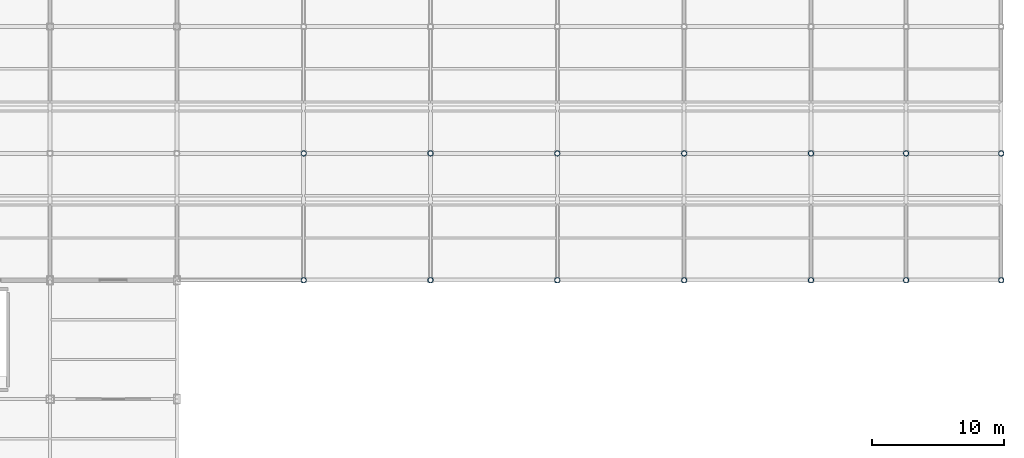
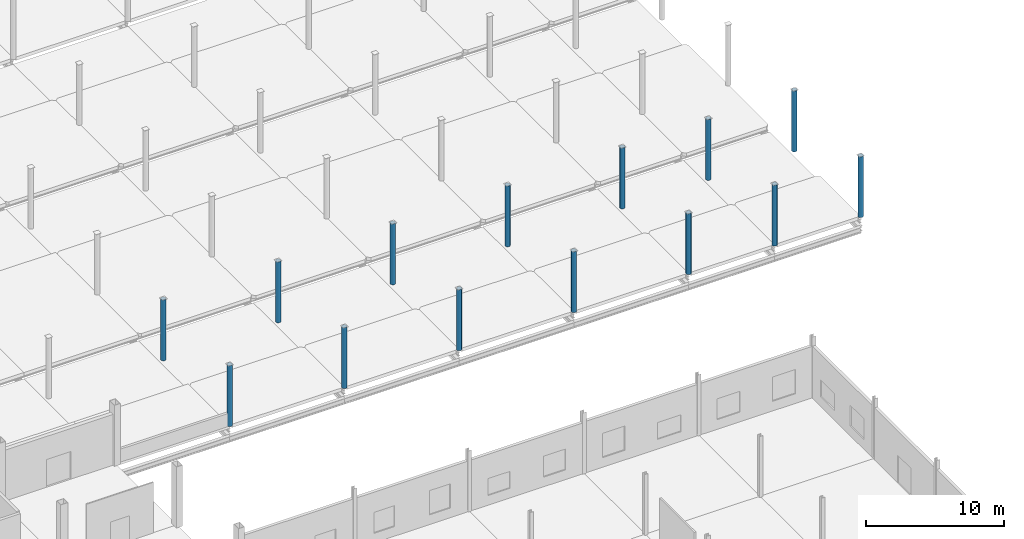
# One storey, part 19 of 85: 14 columns.
"""IFC4 building model written with IfcOpenShell, lengths in metres."""

import ifcopenshell
import ifcopenshell.guid

model = None  # the IFC model being written
_history = None  # IfcOwnerHistory: only IFC2X3 demands one
_inside = {}  # id of a spatial element -> (the spatial element, [elements in it])
_under = {}  # id of a project, library or spatial element -> (it, [spatial elements below it])
_declared = {}  # id of a project -> (the project, [libraries it declares])
_typed = {}  # id of a type object -> (the type object, [elements of that type])
_made_of = {}  # id of a material, layer set ... -> (it, [elements and type objects made of it])


def new_model(schema):
    """Start an empty IFC model of exactly this schema.

    Asked for "IFC4X3", IfcOpenShell would pick the latest addendum, in which some entities
    have other attributes; the version numbers below select the first issue.
    IFC2X3 requires an IfcOwnerHistory on every rooted entity: one is made here for all.
    """
    global model, _history
    if schema == "IFC4X3":
        model = ifcopenshell.file(schema_version=(4, 3, 0, 0))
    else:
        model = ifcopenshell.file(schema=schema)
    _inside.clear()
    _under.clear()
    _declared.clear()
    _typed.clear()
    _made_of.clear()
    _history = None
    if model.schema == "IFC2X3":
        org = make("IfcOrganization", Name="unknown")
        user = make(
            "IfcPersonAndOrganization",
            ThePerson=make("IfcPerson", FamilyName="unknown"),
            TheOrganization=org,
        )
        app = make(
            "IfcApplication",
            ApplicationDeveloper=org,
            Version="unknown",
            ApplicationFullName="unknown",
            ApplicationIdentifier="unknown",
        )
        _history = make(
            "IfcOwnerHistory",
            OwningUser=user,
            OwningApplication=app,
            ChangeAction="ADDED",
            CreationDate=0,
        )
    return model


def make(cls, **values):
    """One entity of the class cls with the attributes given. An attribute that is None is left unset."""
    return model.create_entity(
        cls, **{name: value for name, value in values.items() if value is not None}
    )


def rooted(cls, **values):
    """An entity with a GlobalId (a new one), such as an element, a storey or a relation."""
    return make(cls, GlobalId=ifcopenshell.guid.new(), OwnerHistory=_history, **values)


def si_unit(unit_type, name, prefix=None):
    """IfcSIUnit, for example si_unit("LENGTHUNIT", "METRE", prefix="MILLI")."""
    return make("IfcSIUnit", UnitType=unit_type, Prefix=prefix, Name=name)


def assignment(units):
    """IfcUnitAssignment: the units of a project."""
    return None if units is None else make("IfcUnitAssignment", Units=units)


def point(xyz):
    """IfcCartesianPoint."""
    return None if xyz is None else make("IfcCartesianPoint", Coordinates=xyz)


def direction(xyz):
    """IfcDirection."""
    return None if xyz is None else make("IfcDirection", DirectionRatios=xyz)


def frame(location, z_axis=None, x_axis=None):
    """IfcAxis2Placement3D, a coordinate frame: its origin and axes. An axis left out is left unset."""
    return make(
        "IfcAxis2Placement3D",
        Location=point(location),
        Axis=direction(z_axis),
        RefDirection=direction(x_axis),
    )


def frame_2d(location, x_axis=None):
    """IfcAxis2Placement2D, a coordinate frame in the plane: its origin and x axis."""
    return make(
        "IfcAxis2Placement2D", Location=point(location), RefDirection=direction(x_axis)
    )


def origin():
    """The frame at (0, 0, 0) with its axes left unset."""
    return frame((0.0, 0.0, 0.0))


def origin_2d():
    """The frame at (0, 0) in the plane with its x axis left unset."""
    return frame_2d((0.0, 0.0))


def place(relative_to, where):
    """IfcLocalPlacement: puts the frame where relative to a parent placement (None: the world)."""
    return make(
        "IfcLocalPlacement", PlacementRelTo=relative_to, RelativePlacement=where
    )


def context(
    kind, dimensions, precision=None, world=None, true_north=None, identifier=None
):
    """IfcGeometricRepresentationContext, for example the 3D "Model" context."""
    return make(
        "IfcGeometricRepresentationContext",
        ContextIdentifier=identifier,
        ContextType=kind,
        CoordinateSpaceDimension=dimensions,
        Precision=precision,
        WorldCoordinateSystem=world,
        TrueNorth=true_north,
    )


def subcontext(parent, identifier, kind, view, scale=None):
    """IfcGeometricRepresentationSubContext, for example "Body" below "Model"."""
    return make(
        "IfcGeometricRepresentationSubContext",
        ContextIdentifier=identifier,
        ContextType=kind,
        ParentContext=parent,
        TargetScale=scale,
        TargetView=view,
    )


def project(units=None, contexts=None):
    """IfcProject with its units and contexts."""
    return rooted(
        "IfcProject",
        Name="project",
        RepresentationContexts=contexts,
        UnitsInContext=assignment(units),
    )


def spatial(cls, under=None, at=None, **own):
    """A site, building, storey or space (cls), placed at a placement, below another one or the project."""
    s = rooted(cls, ObjectPlacement=at, **own)
    if under is not None:
        _under.setdefault(under.id(), (under, []))[1].append(s)
    return s


def profile(cls, at=None, kind="AREA", **sizes):
    """A parametric profile (cls). Its sizes go by their IFC names, for example OverallWidth=200.0."""
    return make(cls, ProfileType=kind, Position=at, **sizes)


def hollow_circle(**sizes):
    """IfcCircleHollowProfileDef."""
    return profile("IfcCircleHollowProfileDef", **sizes)


def extrude(swept, where, along, depth):
    """IfcExtrudedAreaSolid: the profile swept, set in the frame where, extruded along a direction by depth."""
    return make(
        "IfcExtrudedAreaSolid",
        SweptArea=swept,
        Position=where,
        ExtrudedDirection=direction(along),
        Depth=depth,
    )


def shape(context_of_items, identifier, shape_type, items):
    """IfcShapeRepresentation: the items that make up one representation, for example the "Body"."""
    return make(
        "IfcShapeRepresentation",
        ContextOfItems=context_of_items,
        RepresentationIdentifier=identifier,
        RepresentationType=shape_type,
        Items=items,
    )


def material(Name=None, Category=None):
    """IfcMaterial."""
    return make("IfcMaterial", Name=Name, Category=Category)


def material_profile(
    of_material, cross_section, Name=None, Category=None, Priority=None
):
    """IfcMaterialProfile: a cross section and its material."""
    return make(
        "IfcMaterialProfile",
        Name=Name,
        Material=of_material,
        Profile=cross_section,
        Priority=Priority,
        Category=Category,
    )


def profile_set(profiles, Name=None, composite=None):
    """IfcMaterialProfileSet."""
    return make(
        "IfcMaterialProfileSet",
        Name=Name,
        MaterialProfiles=profiles,
        CompositeProfile=composite,
    )


def made_of(thing, what):
    """Note that an element or type object is made of a material, layer set ...; save() writes the relation."""
    if what is not None:
        _made_of.setdefault(what.id(), (what, []))[1].append(thing)
    return thing


def type_object(cls, material=None, **own):
    """A type object (cls), such as IfcWallType, which elements share."""
    return made_of(rooted(cls, **own), material)


def element(
    cls,
    number,
    at=None,
    inside=None,
    cuts=None,
    type_object=None,
    material=None,
    context=None,
    identifier="Body",
    shape_type=None,
    held_by="IfcProductDefinitionShape",
    body=None,
    shapes=None,
    **own,
):
    """One element of the class cls, such as IfcWall. Its Tag is "e" and its number.

    at: its placement. inside: the storey or other place that contains it. cuts: it is an
    opening in that element (IfcRelVoidsElement). A single representation is given by context,
    identifier, shape_type and body (its items); several are given by shapes. held_by: the class
    of the entity that holds the representations. save() writes the other relations.
    """
    e = rooted(cls, Tag="e%d" % number, ObjectPlacement=at, **own)
    if body is not None:
        shapes = [shape(context, identifier, shape_type, body)]
    if shapes is not None:
        e.Representation = make(held_by, Representations=shapes)
    if inside is not None:
        _inside.setdefault(inside.id(), (inside, []))[1].append(e)
    if cuts is not None:
        rooted(
            "IfcRelVoidsElement", RelatingBuildingElement=cuts, RelatedOpeningElement=e
        )
    if type_object is not None:
        _typed.setdefault(type_object.id(), (type_object, []))[1].append(e)
    return made_of(e, material)


def aggregate(whole, parts):
    """IfcRelAggregates: a whole, such as a stair, and the parts it consists of."""
    return rooted("IfcRelAggregates", RelatingObject=whole, RelatedObjects=parts)


def save(model, path):
    """Write the relations noted so far, then the file.

    IfcRelAggregates (storeys below a building ...), IfcRelContainedInSpatialStructure (elements
    in a storey), IfcRelDefinesByType, IfcRelAssociatesMaterial and IfcRelDeclares: one each for
    every whole, place, type object, material and project.
    """
    for whole, parts in _under.values():
        aggregate(whole, parts)
    for where, things in _inside.values():
        rooted(
            "IfcRelContainedInSpatialStructure",
            RelatedElements=things,
            RelatingStructure=where,
        )
    for kind, things in _typed.values():
        rooted("IfcRelDefinesByType", RelatedObjects=things, RelatingType=kind)
    for what, things in _made_of.values():
        rooted("IfcRelAssociatesMaterial", RelatedObjects=things, RelatingMaterial=what)
    for by, libraries in _declared.values():
        rooted("IfcRelDeclares", RelatingContext=by, RelatedDefinitions=libraries)
    model.write(path)


model = new_model("IFC4")

# Units and contexts
model_context = context("Model", 3, precision=1e-05, world=origin(), true_north=direction((0.0, 1.0)))
body_context = subcontext(model_context, "Body", "Model", "MODEL_VIEW")
ifc_project = project(units=[si_unit("LENGTHUNIT", "METRE"), si_unit("AREAUNIT", "SQUARE_METRE"), si_unit("VOLUMEUNIT", "CUBIC_METRE"), si_unit("PLANEANGLEUNIT", "RADIAN"), si_unit("MASSUNIT", "GRAM", prefix="KILO")], contexts=[model_context])

# Site, building, storey
site_placement = place(None, origin())
site = spatial("IfcSite", under=ifc_project, at=site_placement, CompositionType="ELEMENT")
building_placement = place(site_placement, origin())
building = spatial("IfcBuilding", under=site, at=building_placement, Name="Zarnetskaya Central Station", CompositionType="ELEMENT")
storey_placement = place(building_placement, origin())
storey = spatial("IfcBuildingStorey", under=building, at=storey_placement, Name="L00", CompositionType="ELEMENT", Elevation=0.0)

# Columns
ifc_material = material(Name="Steel S355", Category="steel")
ifc_material_profile = material_profile(ifc_material, hollow_circle(Radius=0.203125, WallThickness=0.02001953125, at=origin_2d()), Name="CHS 406.4x20")
ifc_profile_set = profile_set([ifc_material_profile], Name="Steel S355")
column_type = type_object("IfcColumnType", Name="COL-V1-PCAN", PredefinedType="COLUMN", material=ifc_profile_set)
for number, where, z_axis, x_axis, name in (
    (1, (134.39990234375, 67.199951171875, 0.0), (0.0, 0.0, 1.0), (1.0, 0.0, 0.0), "Column Q9 L00"),
    (2, (134.39990234375, 76.800048828125, 0.0), (0.0, 0.0, 1.0), (1.0, 0.0, 0.0), "Column Q10 L00"),
    (3, (144.0, 67.199951171875, 0.0), (0.0, 0.0, 1.0), (1.0, 0.0, 0.0), "Column R9 L00"),
    (4, (144.0, 76.800048828125, 0.0), (0.0, 0.0, 1.0), (1.0, 0.0, 0.0), "Column R10 L00"),
    (5, (153.60009765625, 67.199951171875, 0.0), (0.0, 0.0, 1.0), (1.0, 0.0, 0.0), "Column S9 L00"),
    (6, (153.60009765625, 76.800048828125, 0.0), (0.0, 0.0, 1.0), (1.0, 0.0, 0.0), "Column S10 L00"),
    (7, (163.199951171875, 67.199951171875, 0.0), (0.0, 0.0, 1.0), (1.0, 0.0, 0.0), "Column T9 L00"),
    (8, (163.199951171875, 76.800048828125, 0.0), (0.0, 0.0, 1.0), (1.0, 0.0, 0.0), "Column T10 L00"),
    (9, (172.800048828125, 67.199951171875, 0.0), (0.0, 0.0, 1.0), (1.0, 0.0, 0.0), "Column U9 L00"),
    (10, (172.800048828125, 76.800048828125, 0.0), (0.0, 0.0, 1.0), (1.0, 0.0, 0.0), "Column U10 L00"),
    (11, (180.0, 67.199951171875, 0.0), (0.0, 0.0, 1.0), (1.0, 0.0, 0.0), "Column V9 L00"),
    (12, (180.0, 76.800048828125, 0.0), (0.0, 0.0, 1.0), (1.0, 0.0, 0.0), "Column V10 L00"),
    (13, (187.199951171875, 67.199951171875, 0.0), (0.0, 0.0, 1.0), (1.0, 0.0, 0.0), "Column W9 L00"),
    (14, (187.199951171875, 76.800048828125, 0.0), (0.0, 0.0, 1.0), (1.0, 0.0, 0.0), "Column W10 L00"),
):
    element("IfcColumn", number, at=place(storey_placement, frame(where, z_axis=z_axis, x_axis=x_axis)), inside=storey, type_object=column_type, Name=name, PredefinedType="COLUMN", context=body_context, shape_type="SweptSolid", body=[
        extrude(hollow_circle(Radius=0.203125, WallThickness=0.02001953125, at=origin_2d()), origin(), (0.0, 0.0, 1.0), 5.387939453125),
    ])

save(model, "model.ifc")
